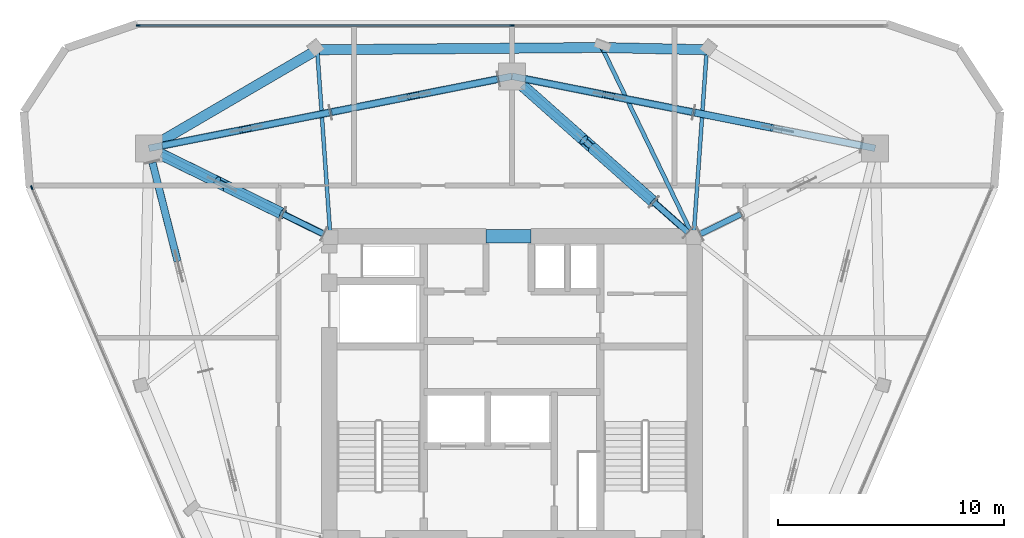
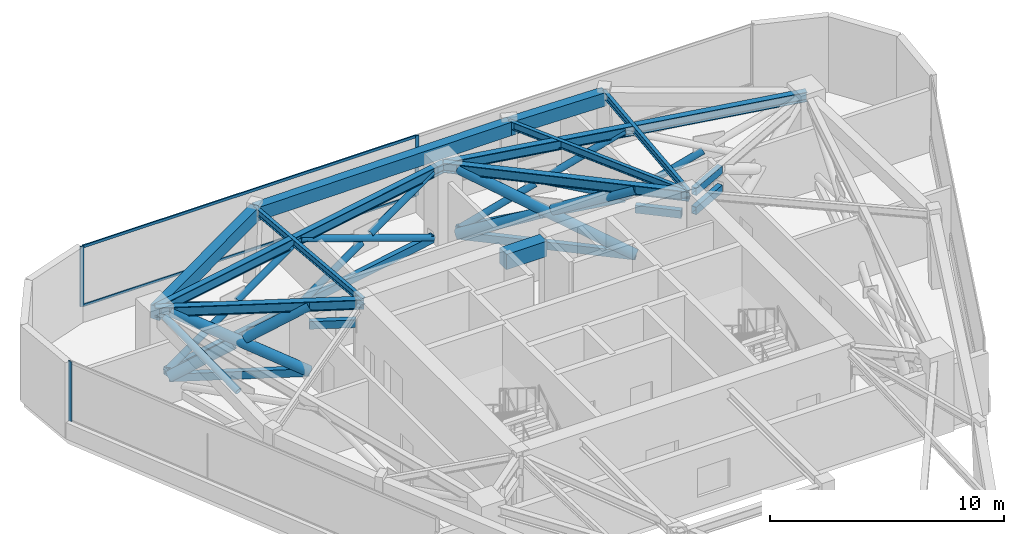
# One storey, part 4 of 9: 38 members, 11 beams, 2 elements without a shape of their own.
"""IFC4 building model written with IfcOpenShell, lengths in metres."""

from ifc_helpers import new_model, si_unit, direction, frame, origin, origin_2d, place, context, subcontext, project, spatial, rectangle, hollow_rectangle, hollow_circle, i_section, extrude, material, layer, layer_set, material_profile, profile_set, type_object, element, aggregate, save


model = new_model("IFC4")

# Units and contexts
model_context = context("Model", 3, precision=1e-05, world=origin(), true_north=direction((0.0, 1.0)))
body_context = subcontext(model_context, "Body", "Model", "MODEL_VIEW")
ifc_project = project(units=[si_unit("LENGTHUNIT", "METRE"), si_unit("AREAUNIT", "SQUARE_METRE"), si_unit("VOLUMEUNIT", "CUBIC_METRE"), si_unit("PLANEANGLEUNIT", "RADIAN"), si_unit("MASSUNIT", "GRAM", prefix="KILO")], contexts=[model_context])

# Site, building, storey
site_placement = place(None, origin())
site = spatial("IfcSite", under=ifc_project, at=site_placement, CompositionType="ELEMENT")
building_placement = place(site_placement, origin())
building = spatial("IfcBuilding", under=site, at=building_placement, Name="Talyreon Biosciences Tower", CompositionType="ELEMENT")
storey_placement = place(building_placement, frame((0.0, 0.0, 279.60009765625)))
storey = spatial("IfcBuildingStorey", under=building, at=storey_placement, Name="L74", CompositionType="ELEMENT", Elevation=279.60009765625)

# Members
ifc_material_1 = material(Name="Steel SM355", Category="steel")
ifc_material_profile_1 = material_profile(ifc_material_1, hollow_rectangle(XDim=0.25, YDim=0.39990234375, WallThickness=0.01611328125, at=origin_2d()), Name="RHS 400x250x16")
ifc_profile_set_1 = profile_set([ifc_material_profile_1], Name="Steel SM355")
member_type_1 = type_object("IfcMemberType", Name="BeltChord_RHS400x250", PredefinedType="CHORD", material=ifc_profile_set_1)
for number, where, z_axis, x_axis, name in (
    (1, (74.350830078125, 74.797607421875, 3.699951171875), (0.897841833821, 0.440318113914, 0.0), (-0.440318113914, 0.897841833821, 0.0), "L74 Outrigger Core Top Tie 3"),
    (2, (74.350830078125, 74.797607421875, 2.699951171875), (0.897841833821, 0.440318113914, 0.0), (-0.440318113914, 0.897841833821, 0.0), "L74 Outrigger Core Plenum Tie 3"),
    (3, (73.79931640625, 74.872314453125, 3.699951171875), (-0.748184255594, 0.663491009495, 0.0), (-0.663491009495, -0.748184255594, 0.0), "L74 Outrigger Core Top Tie 4"),
    (4, (73.79931640625, 74.872314453125, 2.699951171875), (-0.748184255594, 0.663491009495, 0.0), (-0.663491009495, -0.748184255594, 0.0), "L74 Outrigger Core Plenum Tie 4"),
):
    element("IfcMember", number, at=place(storey_placement, frame(where, z_axis=z_axis, x_axis=x_axis)), inside=storey, type_object=member_type_1, Name=name, PredefinedType="CHORD", context=body_context, shape_type="SweptSolid", body=[
        extrude(hollow_rectangle(XDim=0.25, YDim=0.39990234375, WallThickness=0.01611328125, at=origin_2d()), origin(), (0.0, 0.0, 1.0), 2.014892578125),
    ])
for number, where, z_axis, x_axis, name in (
    (5, (72.291748046875, 76.209228515625, 0.239990234375), (-0.748173880498, 0.663502708766, 0.0), (-0.663502708766, -0.748173880498, 0.0), "L74 Truss Bottom Chord OUT-L74-R4"),
    (6, (72.291748046875, 76.209228515625, 3.699951171875), (-0.748173880498, 0.663502708766, 0.0), (-0.663502708766, -0.748173880498, 0.0), "L74 Truss Top Chord OUT-L74-R4"),
):
    element("IfcMember", number, at=place(storey_placement, frame(where, z_axis=z_axis, x_axis=x_axis)), inside=storey, type_object=member_type_1, Name=name, PredefinedType="CHORD", context=body_context, shape_type="SweptSolid", body=[
        extrude(hollow_rectangle(XDim=0.25, YDim=0.39990234375, WallThickness=0.01611328125, at=origin_2d()), origin(), (0.0, 0.0, 1.0), 7.799560546875),
    ])
for number, where, z_axis, x_axis, name in (
    (7, (57.649169921875, 74.797607421875, 3.699951171875), (-0.897841833821, 0.440318113914, 0.0), (-0.440318113914, -0.897841833821, 0.0), "L74 Outrigger Core Top Tie 5"),
    (8, (57.649169921875, 74.797607421875, 2.699951171875), (-0.897841833821, 0.440318113914, 0.0), (-0.440318113914, -0.897841833821, 0.0), "L74 Outrigger Core Plenum Tie 5"),
):
    element("IfcMember", number, at=place(storey_placement, frame(where, z_axis=z_axis, x_axis=x_axis)), inside=storey, type_object=member_type_1, Name=name, PredefinedType="CHORD", context=body_context, shape_type="SweptSolid", body=[
        extrude(hollow_rectangle(XDim=0.25, YDim=0.39990234375, WallThickness=0.01611328125, at=origin_2d()), origin(), (0.0, 0.0, 1.0), 2.014892578125),
    ])
for number, where, z_axis, x_axis, name in (
    (9, (55.840087890625, 75.684814453125, 0.239990234375), (-0.897870334783, 0.440259993545, 0.0), (-0.440259993545, -0.897870334783, 0.0), "L74 Truss Bottom Chord OUT-L74-R5"),
    (10, (55.840087890625, 75.684814453125, 3.699951171875), (-0.897870334783, 0.440259993545, 0.0), (-0.440259993545, -0.897870334783, 0.0), "L74 Truss Top Chord OUT-L74-R5"),
):
    element("IfcMember", number, at=place(storey_placement, frame(where, z_axis=z_axis, x_axis=x_axis)), inside=storey, type_object=member_type_1, Name=name, PredefinedType="CHORD", context=body_context, shape_type="SweptSolid", body=[
        extrude(hollow_rectangle(XDim=0.25, YDim=0.39990234375, WallThickness=0.01611328125, at=origin_2d()), origin(), (0.0, 0.0, 1.0), 6.00830078125),
    ])
for number, where, z_axis, x_axis, name in (
    (11, (74.05126953125, 80.19384765625, 0.239990234375), (-0.980933774258, 0.194342302444, 0.0), (-0.194342302444, -0.980933774258, 0.0), "L74 Truss Bottom Chord BELT-L74-B3S2"),
    (12, (74.05126953125, 80.19384765625, 3.699951171875), (-0.980933774258, 0.194342302444, 0.0), (-0.194342302444, -0.980933774258, 0.0), "L74 Truss Top Chord BELT-L74-B3S2"),
    (13, (65.401611328125, 81.67041015625, 0.239990234375), (-0.980933774258, -0.194342302444, 0.0), (0.194342302444, -0.980933774258, 0.0), "L74 Truss Bottom Chord BELT-L74-B4S1"),
    (14, (65.401611328125, 81.67041015625, 3.699951171875), (-0.980933774258, -0.194342302444, 0.0), (0.194342302444, -0.980933774258, 0.0), "L74 Truss Top Chord BELT-L74-B4S1"),
):
    element("IfcMember", number, at=place(storey_placement, frame(where, z_axis=z_axis, x_axis=x_axis)), inside=storey, type_object=member_type_1, Name=name, PredefinedType="CHORD", context=body_context, shape_type="SweptSolid", body=[
        extrude(hollow_rectangle(XDim=0.25, YDim=0.39990234375, WallThickness=0.01611328125, at=origin_2d()), origin(), (0.0, 0.0, 1.0), 7.59765625),
    ])
for number, where, z_axis, x_axis, name in (
    (15, (57.94873046875, 80.19384765625, 0.239990234375), (-0.98093256056, -0.19434842843, 0.0), (0.19434842843, -0.98093256056, 0.0), "L74 Truss Bottom Chord BELT-L74-B4S2"),
    (16, (57.94873046875, 80.19384765625, 3.699951171875), (-0.98093256056, -0.19434842843, 0.0), (0.19434842843, -0.98093256056, 0.0), "L74 Truss Top Chord BELT-L74-B4S2"),
):
    element("IfcMember", number, at=place(storey_placement, frame(where, z_axis=z_axis, x_axis=x_axis)), inside=storey, type_object=member_type_1, Name=name, PredefinedType="CHORD", context=body_context, shape_type="SweptSolid", body=[
        extrude(hollow_rectangle(XDim=0.25, YDim=0.39990234375, WallThickness=0.01611328125, at=origin_2d()), origin(), (0.0, 0.0, 1.0), 7.597412109375),
    ])

# Curtain wall, members
ifc_material_2 = material(Name="Thermally broken aluminium and low-E glazing", Category="aluminium")
ifc_layer = layer(ifc_material_2, 0.175048828125)
ifc_layer_set = layer_set([ifc_layer], Name="Thermally broken aluminium and low-E glazing")
curtain_wall_type = type_object("IfcCurtainWallType", Name="CurtainWall_Zone5CompLab", PredefinedType="NOTDEFINED", material=ifc_layer_set)
curtain_wall_1_placement = place(storey_placement, origin())
curtain_wall_1 = element("IfcCurtainWall", 17, at=curtain_wall_1_placement, inside=storey, type_object=curtain_wall_type, Name="L74 Unitised Curtain Wall FCW-L74-03", PredefinedType="NOTDEFINED")
ifc_material_3 = material(Name="Anodised thermally broken aluminium", Category="aluminium")
ifc_material_profile_2 = material_profile(ifc_material_3, rectangle(XDim=0.06494140625, YDim=0.179931640625, at=origin_2d()), Name="ALUM MULLION 65x180")
ifc_profile_set_2 = profile_set([ifc_material_profile_2], Name="Anodised thermally broken aluminium")
member_type_2 = type_object("IfcMemberType", Name="CWMullion_65x180", PredefinedType="MULLION", material=ifc_profile_set_2)
member_1_placement = place(storey_placement, frame((49.4248046875, 84.037109375, 0.809814453125), z_axis=(0.0, 0.0, 1.0), x_axis=(0.0, 1.0, 0.0)))
member_1 = element("IfcMember", 18, at=member_1_placement, type_object=member_type_2, Name="CW6 mullion 1", PredefinedType="MULLION", context=body_context, shape_type="SweptSolid", body=[
    extrude(rectangle(XDim=0.06494140625, YDim=0.179931640625, at=origin_2d()), origin(), (0.0, 0.0, 1.0), 3.14013671875),
])
member_2_placement = place(storey_placement, frame((66.0, 84.037109375, 0.809814453125), z_axis=(0.0, 0.0, 1.0), x_axis=(0.0, 1.0, 0.0)))
member_2 = element("IfcMember", 19, at=member_2_placement, type_object=member_type_2, Name="CW6 mullion 2", PredefinedType="MULLION", context=body_context, shape_type="SweptSolid", body=[
    extrude(rectangle(XDim=0.06494140625, YDim=0.179931640625, at=origin_2d()), origin(), (0.0, 0.0, 1.0), 3.14013671875),
])

# Curtain wall, member
curtain_wall_2_placement = place(storey_placement, origin())
curtain_wall_2 = element("IfcCurtainWall", 20, at=curtain_wall_2_placement, inside=storey, type_object=curtain_wall_type, Name="L74 Unitised Curtain Wall FCW-L74-09", PredefinedType="NOTDEFINED")
member_3_placement = place(storey_placement, frame((44.704833984375, 76.857177734375, 0.809814453125), z_axis=(0.0, 0.0, 1.0), x_axis=(-0.918021763475, -0.396530001116, 0.0)))
member_3 = element("IfcMember", 21, at=member_3_placement, type_object=member_type_2, Name="CW6 mullion 2", PredefinedType="MULLION", context=body_context, shape_type="SweptSolid", body=[
    extrude(rectangle(XDim=0.06494140625, YDim=0.179931640625, at=origin_2d()), origin(), (0.0, 0.0, 1.0), 3.14013671875),
])
aggregate(curtain_wall_2, [member_3])

# Member
ifc_material_profile_3 = material_profile(ifc_material_3, rectangle(XDim=0.06494140625, YDim=0.139892578125, at=origin_2d()), Name="ALUM TRANSOM 65x140")
ifc_profile_set_3 = profile_set([ifc_material_profile_3], Name="Anodised thermally broken aluminium")
member_type_3 = type_object("IfcMemberType", Name="CWTransom_65x140", PredefinedType="USERDEFINED", material=ifc_profile_set_3)
member_4_placement = place(storey_placement, frame((49.457275390625, 84.037109375, 0.84228515625), z_axis=(1.0, 0.0, 0.0), x_axis=(0.0, 1.0, 0.0)))
member_4 = element("IfcMember", 22, at=member_4_placement, type_object=member_type_3, Name="CW6 transom 1.1", ObjectType="TRANSOM", PredefinedType="USERDEFINED", context=body_context, shape_type="SweptSolid", body=[
    extrude(rectangle(XDim=0.06494140625, YDim=0.139892578125, at=origin_2d()), origin(), (0.0, 0.0, 1.0), 16.51025390625),
])

member_5_placement = place(storey_placement, frame((49.457275390625, 84.037109375, 3.91748046875), z_axis=(1.0, 0.0, 0.0), x_axis=(0.0, 1.0, 0.0)))
member_5 = element("IfcMember", 23, at=member_5_placement, type_object=member_type_3, Name="CW6 transom 1.2", ObjectType="TRANSOM", PredefinedType="USERDEFINED", context=body_context, shape_type="SweptSolid", body=[
    extrude(rectangle(XDim=0.06494140625, YDim=0.139892578125, at=origin_2d()), origin(), (0.0, 0.0, 1.0), 16.51025390625),
])

aggregate(curtain_wall_1, [member_1, member_2, member_4, member_5])

# Beams
ifc_material_4 = material(Name="Concrete C50/60", Category="concrete")
ifc_material_profile_4 = material_profile(ifc_material_4, rectangle(XDim=0.60009765625, YDim=0.800048828125, at=origin_2d()), Name="RCB 600x800")
ifc_profile_set_4 = profile_set([ifc_material_profile_4], Name="Concrete C50/60")
beam_type_1 = type_object("IfcBeamType", Name="CoreCouplingLintel_600x800", PredefinedType="LINTEL", material=ifc_profile_set_4)
beam_1_placement = place(storey_placement, frame((64.85009765625, 74.699951171875, 3.5498046875), z_axis=(1.0, 0.0, 0.0), x_axis=(0.0, 1.0, 0.0)))
element("IfcBeam", 24, at=beam_1_placement, inside=storey, type_object=beam_type_1, Name="L74 Core Coupling Lintel", PredefinedType="LINTEL", context=body_context, shape_type="SweptSolid", body=[
    extrude(rectangle(XDim=0.60009765625, YDim=0.800048828125, at=origin_2d()), origin(), (0.0, 0.0, 1.0), 2.0),
])
ifc_material_5 = material(Name="Precast concrete C45/55", Category="concrete")
ifc_material_profile_5 = material_profile(ifc_material_5, rectangle(XDim=0.449951171875, YDim=0.699951171875, at=origin_2d()), Name="RCB 450x700")
ifc_profile_set_5 = profile_set([ifc_material_profile_5], Name="Precast concrete C45/55")
beam_type_2 = type_object("IfcBeamType", Name="ExpressedSpandrel_450x700", PredefinedType="SPANDREL", material=ifc_profile_set_5)
beam_2_placement = place(storey_placement, frame((74.635986328125, 82.96728515625, 3.599853515625), z_axis=(-0.999769530585, 0.021468248964, 0.0), x_axis=(-0.021468248964, -0.999769530585, 0.0)))
element("IfcBeam", 25, at=beam_2_placement, inside=storey, type_object=beam_type_2, Name="L74 Expressed Horizontal Concrete Spandrel 06", PredefinedType="SPANDREL", context=body_context, shape_type="SweptSolid", body=[
    extrude(rectangle(XDim=0.449951171875, YDim=0.699951171875, at=origin_2d()), origin(), (0.0, 0.0, 1.0), 4.651123046875),
])
beam_3_placement = place(storey_placement, frame((69.98583984375, 83.067138671875, 3.599853515625), z_axis=(-0.999968708099, -0.00791093061, 0.0), x_axis=(0.00791093061, -0.999968708099, 0.0)))
element("IfcBeam", 26, at=beam_3_placement, inside=storey, type_object=beam_type_2, Name="L74 Expressed Horizontal Concrete Spandrel 07", PredefinedType="SPANDREL", context=body_context, shape_type="SweptSolid", body=[
    extrude(rectangle(XDim=0.449951171875, YDim=0.699951171875, at=origin_2d()), origin(), (0.0, 0.0, 1.0), 12.622314453125),
])
beam_4_placement = place(storey_placement, frame((57.364013671875, 82.96728515625, 3.599853515625), z_axis=(-0.863108688616, -0.505018209211, 0.0), x_axis=(0.505018209211, -0.863108688616, 0.0)))
element("IfcBeam", 27, at=beam_4_placement, inside=storey, type_object=beam_type_2, Name="L74 Expressed Horizontal Concrete Spandrel 08", PredefinedType="SPANDREL", context=body_context, shape_type="SweptSolid", body=[
    extrude(rectangle(XDim=0.449951171875, YDim=0.699951171875, at=origin_2d()), origin(), (0.0, 0.0, 1.0), 8.650390625),
])

# Members
ifc_material_profile_6 = material_profile(ifc_material_1, hollow_circle(Radius=0.25390625, WallThickness=0.02001953125, at=origin_2d()), Name="CHS 508x20")
ifc_profile_set_6 = profile_set([ifc_material_profile_6], Name="Steel SM355")
member_type_4 = type_object("IfcMemberType", Name="OutriggerBrace_CHS508", PredefinedType="BRACE", material=ifc_profile_set_6)
member_6_placement = place(storey_placement, frame((72.291748046875, 76.209228515625, 0.239990234375), z_axis=(-0.683902051976, 0.606504551742, 0.405499953167), x_axis=(-0.663502708766, -0.748173880498, 0.0)))
element("IfcMember", 28, at=member_6_placement, inside=storey, type_object=member_type_4, Name="L74 Continuous Diagonal OUT-L74-R4A", PredefinedType="BRACE", context=body_context, shape_type="SweptSolid", body=[
    extrude(hollow_circle(Radius=0.25390625, WallThickness=0.02001953125, at=origin_2d()), origin(), (0.0, 0.0, 1.0), 8.532470703125),
])
member_7_placement = place(storey_placement, frame((66.456298828125, 81.38427734375, 0.239990234375), z_axis=(0.683910328975, -0.606498073595, 0.405495682649), x_axis=(0.66349424675, 0.748181384779, 0.0)))
element("IfcMember", 29, at=member_7_placement, inside=storey, type_object=member_type_4, Name="L74 Split Diagonal OUT-L74-R4B-Lower", PredefinedType="BRACE", context=body_context, shape_type="SweptSolid", body=[
    extrude(hollow_circle(Radius=0.25390625, WallThickness=0.02001953125, at=origin_2d()), origin(), (0.0, 0.0, 1.0), 3.986328125),
])
member_8_placement = place(storey_placement, frame((69.565673828125, 78.626953125, 2.08349609375), z_axis=(0.683877728855, -0.606523477418, 0.405512667271), x_axis=(0.663527507164, 0.748151887812, 0.0)))
element("IfcMember", 30, at=member_8_placement, inside=storey, type_object=member_type_4, Name="L74 Split Diagonal OUT-L74-R4B-Upper", PredefinedType="BRACE", context=body_context, shape_type="SweptSolid", body=[
    extrude(hollow_circle(Radius=0.25390625, WallThickness=0.02001953125, at=origin_2d()), origin(), (0.0, 0.0, 1.0), 3.986083984375),
])
member_9_placement = place(storey_placement, frame((55.840087890625, 75.684814453125, 0.239990234375), z_axis=(-0.778082569221, 0.381523493574, 0.499026391411), x_axis=(-0.440259993545, -0.897870334783, 0.0)))
element("IfcMember", 31, at=member_9_placement, inside=storey, type_object=member_type_4, Name="L74 Continuous Diagonal OUT-L74-R5A", PredefinedType="BRACE", context=body_context, shape_type="SweptSolid", body=[
    extrude(hollow_circle(Radius=0.25390625, WallThickness=0.02001953125, at=origin_2d()), origin(), (0.0, 0.0, 1.0), 6.933349609375),
])
for number, where, z_axis, x_axis, name in (
    (32, (50.4453125, 78.330078125, 0.239990234375), (0.778067536306, -0.38152583013, 0.499048043669), (0.440269024625, 0.897865906445, 0.0), "L74 Split Diagonal OUT-L74-R5B-Lower"),
    (33, (53.360595703125, 76.900634765625, 2.109619140625), (0.778067536306, -0.38152583013, 0.499048043669), (0.440269024625, 0.897865906445, 0.0), "L74 Split Diagonal OUT-L74-R5B-Upper"),
):
    element("IfcMember", number, at=place(storey_placement, frame(where, z_axis=z_axis, x_axis=x_axis)), inside=storey, type_object=member_type_4, Name=name, PredefinedType="BRACE", context=body_context, shape_type="SweptSolid", body=[
        extrude(hollow_circle(Radius=0.25390625, WallThickness=0.02001953125, at=origin_2d()), origin(), (0.0, 0.0, 1.0), 3.186767578125),
    ])
ifc_material_profile_7 = material_profile(ifc_material_1, hollow_circle(Radius=0.161865234375, WallThickness=0.012451171875, at=origin_2d()), Name="CHS 323.9x12.5")
ifc_profile_set_7 = profile_set([ifc_material_profile_7], Name="Steel SM355")
member_type_5 = type_object("IfcMemberType", Name="PortalBrace_CHS324", PredefinedType="BRACE", material=ifc_profile_set_7)
member_10_placement = place(storey_placement, frame((74.05126953125, 80.19384765625, 0.239990234375), z_axis=(0.892699857286, -0.176922466273, 0.414470029954), x_axis=(0.194406841853, 0.980920985524, 0.0)))
element("IfcMember", 34, at=member_10_placement, inside=storey, type_object=member_type_5, Name="L74 Split Diagonal BELT-L74-B3S1B-Lower", PredefinedType="BRACE", context=body_context, shape_type="SweptSolid", body=[
    extrude(hollow_circle(Radius=0.161865234375, WallThickness=0.012451171875, at=origin_2d()), origin(), (0.0, 0.0, 1.0), 3.89404296875),
])
member_11_placement = place(storey_placement, frame((74.05126953125, 80.19384765625, 0.239990234375), z_axis=(-0.892723849835, 0.176866178917, 0.414442375597), x_axis=(-0.194342302444, -0.980933774258, 0.0)))
element("IfcMember", 35, at=member_11_placement, inside=storey, type_object=member_type_5, Name="L74 Continuous Diagonal BELT-L74-B3S2A", PredefinedType="BRACE", context=body_context, shape_type="SweptSolid", body=[
    extrude(hollow_circle(Radius=0.161865234375, WallThickness=0.012451171875, at=origin_2d()), origin(), (0.0, 0.0, 1.0), 8.348388671875),
])
member_12_placement = place(storey_placement, frame((66.598388671875, 81.67041015625, 0.239990234375), z_axis=(0.892709757502, -0.176861733683, 0.414474626508), x_axis=(0.194340554403, 0.980934120578, 0.0)))
element("IfcMember", 36, at=member_12_placement, inside=storey, type_object=member_type_5, Name="L74 Split Diagonal BELT-L74-B3S2B-Lower", PredefinedType="BRACE", context=body_context, shape_type="SweptSolid", body=[
    extrude(hollow_circle(Radius=0.161865234375, WallThickness=0.012451171875, at=origin_2d()), origin(), (0.0, 0.0, 1.0), 3.89404296875),
])
member_13_placement = place(storey_placement, frame((70.57470703125, 80.882568359375, 2.0859375), z_axis=(0.892722487801, -0.17685183554, 0.414451430256), x_axis=(0.194327422283, 0.980936722194, 0.0)))
element("IfcMember", 37, at=member_13_placement, inside=storey, type_object=member_type_5, Name="L74 Split Diagonal BELT-L74-B3S2B-Upper", PredefinedType="BRACE", context=body_context, shape_type="SweptSolid", body=[
    extrude(hollow_circle(Radius=0.161865234375, WallThickness=0.012451171875, at=origin_2d()), origin(), (0.0, 0.0, 1.0), 3.894287109375),
])
member_14_placement = place(storey_placement, frame((65.401611328125, 81.67041015625, 0.239990234375), z_axis=(-0.892723849835, -0.176866178917, 0.414442375597), x_axis=(0.194342302444, -0.980933774258, 0.0)))
element("IfcMember", 38, at=member_14_placement, inside=storey, type_object=member_type_5, Name="L74 Continuous Diagonal BELT-L74-B4S1A", PredefinedType="BRACE", context=body_context, shape_type="SweptSolid", body=[
    extrude(hollow_circle(Radius=0.161865234375, WallThickness=0.012451171875, at=origin_2d()), origin(), (0.0, 0.0, 1.0), 8.348388671875),
])
member_15_placement = place(storey_placement, frame((57.94873046875, 80.19384765625, 0.239990234375), z_axis=(0.892722487801, 0.17685183554, 0.414451430256), x_axis=(-0.194327422283, 0.980936722194, 0.0)))
element("IfcMember", 39, at=member_15_placement, inside=storey, type_object=member_type_5, Name="L74 Split Diagonal BELT-L74-B4S1B-Lower", PredefinedType="BRACE", context=body_context, shape_type="SweptSolid", body=[
    extrude(hollow_circle(Radius=0.161865234375, WallThickness=0.012451171875, at=origin_2d()), origin(), (0.0, 0.0, 1.0), 3.894287109375),
])
member_16_placement = place(storey_placement, frame((61.92529296875, 80.981689453125, 2.0859375), z_axis=(0.892709757502, 0.176861733683, 0.414474626508), x_axis=(-0.194340554403, 0.980934120578, 0.0)))
element("IfcMember", 40, at=member_16_placement, inside=storey, type_object=member_type_5, Name="L74 Split Diagonal BELT-L74-B4S1B-Upper", PredefinedType="BRACE", context=body_context, shape_type="SweptSolid", body=[
    extrude(hollow_circle(Radius=0.161865234375, WallThickness=0.012451171875, at=origin_2d()), origin(), (0.0, 0.0, 1.0), 3.89404296875),
])
member_17_placement = place(storey_placement, frame((57.94873046875, 80.19384765625, 0.239990234375), z_axis=(-0.892717911832, -0.176870796395, 0.414453195521), x_axis=(0.19434842843, -0.98093256056, 0.0)))
element("IfcMember", 41, at=member_17_placement, inside=storey, type_object=member_type_5, Name="L74 Continuous Diagonal BELT-L74-B4S2A", PredefinedType="BRACE", context=body_context, shape_type="SweptSolid", body=[
    extrude(hollow_circle(Radius=0.161865234375, WallThickness=0.012451171875, at=origin_2d()), origin(), (0.0, 0.0, 1.0), 8.34814453125),
])
for number, where, z_axis, x_axis, name in (
    (42, (50.49609375, 78.71728515625, 0.239990234375), (0.892709757502, 0.176861733683, 0.414474626508), (-0.194340554403, 0.980934120578, 0.0), "L74 Split Diagonal BELT-L74-B4S2B-Lower"),
    (43, (54.472412109375, 79.5048828125, 2.0859375), (0.892699857286, 0.176922466273, 0.414470029954), (-0.194406841853, 0.980920985524, 0.0), "L74 Split Diagonal BELT-L74-B4S2B-Upper"),
):
    element("IfcMember", number, at=place(storey_placement, frame(where, z_axis=z_axis, x_axis=x_axis)), inside=storey, type_object=member_type_5, Name=name, PredefinedType="BRACE", context=body_context, shape_type="SweptSolid", body=[
        extrude(hollow_circle(Radius=0.161865234375, WallThickness=0.012451171875, at=origin_2d()), origin(), (0.0, 0.0, 1.0), 3.89404296875),
    ])
member_18_placement = place(storey_placement, frame((51.161865234375, 73.628662109375, 2.065185546875), z_axis=(-0.231795191478, 0.911328047865, 0.340223718137), x_axis=(-0.969142719225, -0.246500283514, 0.0)))
element("IfcMember", 44, at=member_18_placement, inside=storey, type_object=member_type_5, Name="L74 Split Diagonal BELT-L74-B5S1B-Upper", PredefinedType="BRACE", context=body_context, shape_type="SweptSolid", body=[
    extrude(hollow_circle(Radius=0.161865234375, WallThickness=0.012451171875, at=origin_2d()), origin(), (0.0, 0.0, 1.0), 4.804931640625),
])

# Beams
ifc_material_profile_8 = material_profile(ifc_material_1, i_section(OverallWidth=0.300048828125, OverallDepth=0.5, WebThickness=0.014404296875, FlangeThickness=0.028076171875, FilletRadius=0.027099609375, at=origin_2d()), Name="HE500B")
ifc_profile_set_8 = profile_set([ifc_material_profile_8], Name="Steel SM355")
beam_type_3 = type_object("IfcBeamType", Name="SteelBeam_HE500B", PredefinedType="BEAM", material=ifc_profile_set_8)
for number, where, z_axis, x_axis, name in (
    (45, (82.102294921875, 78.5986328125, 3.699951171875), (-0.980933730698, 0.194342522311, 0.0), (-0.194342522311, -0.980933730698, 0.0), "L74 Mega-Ring Girder 3"),
    (46, (66.0, 81.788818359375, 3.699951171875), (-0.980933730698, -0.194342522311, 0.0), (0.194342522311, -0.980933730698, 0.0), "L74 Mega-Ring Girder 4"),
):
    element("IfcBeam", number, at=place(storey_placement, frame(where, z_axis=z_axis, x_axis=x_axis)), inside=storey, type_object=beam_type_3, Name=name, PredefinedType="BEAM", context=body_context, shape_type="SweptSolid", body=[
        extrude(i_section(OverallWidth=0.300048828125, OverallDepth=0.5, WebThickness=0.014404296875, FlangeThickness=0.028076171875, FilletRadius=0.027099609375, at=origin_2d()), origin(), (0.0, 0.0, 1.0), 16.415283203125),
    ])
beam_5_placement = place(storey_placement, frame((74.050048828125, 74.64990234375, 3.699951171875), z_axis=(-0.748178733955, 0.663497235908, 0.0), x_axis=(-0.663497235908, -0.748178733955, 0.0)))
element("IfcBeam", 47, at=beam_5_placement, inside=storey, type_object=beam_type_3, Name="L74 Radial Primary Girder 4", PredefinedType="BEAM", context=body_context, shape_type="SweptSolid", body=[
    extrude(i_section(OverallWidth=0.300048828125, OverallDepth=0.5, WebThickness=0.014404296875, FlangeThickness=0.028076171875, FilletRadius=0.027099609375, at=origin_2d()), origin(), (0.0, 0.0, 1.0), 10.759521484375),
])
beam_6_placement = place(storey_placement, frame((57.949951171875, 74.64990234375, 3.699951171875), z_axis=(-0.897852360314, 0.440296648952, 0.0), x_axis=(-0.440296648952, -0.897852360314, 0.0)))
element("IfcBeam", 48, at=beam_6_placement, inside=storey, type_object=beam_type_3, Name="L74 Radial Primary Girder 5", PredefinedType="BEAM", context=body_context, shape_type="SweptSolid", body=[
    extrude(i_section(OverallWidth=0.300048828125, OverallDepth=0.5, WebThickness=0.014404296875, FlangeThickness=0.028076171875, FilletRadius=0.027099609375, at=origin_2d()), origin(), (0.0, 0.0, 1.0), 8.96826171875),
])
ifc_material_profile_9 = material_profile(ifc_material_1, i_section(OverallWidth=0.169921875, OverallDepth=0.360107421875, WebThickness=0.008056640625, FlangeThickness=0.0126953125, FilletRadius=0.01806640625, at=origin_2d()), Name="IPE360")
ifc_profile_set_9 = profile_set([ifc_material_profile_9], Name="Steel SM355")
beam_type_4 = type_object("IfcBeamType", Name="SteelJoist_IPE360", PredefinedType="JOIST", material=ifc_profile_set_9)
for number, where, z_axis, x_axis, name in (
    (49, (74.050048828125, 74.64990234375, 3.77001953125), (0.070273179584, 0.99752778419, 0.0), (-0.99752778419, 0.070273179584, 0.0), "L74 Radial Composite Floor Joist PC-N1"),
    (50, (57.949951171875, 74.64990234375, 3.77001953125), (-0.070273179584, 0.99752778419, 0.0), (-0.99752778419, -0.070273179584, 0.0), "L74 Radial Composite Floor Joist PC-N2"),
):
    element("IfcBeam", number, at=place(storey_placement, frame(where, z_axis=z_axis, x_axis=x_axis)), inside=storey, type_object=beam_type_4, Name=name, PredefinedType="JOIST", context=body_context, shape_type="SweptSolid", body=[
        extrude(i_section(OverallWidth=0.169921875, OverallDepth=0.360107421875, WebThickness=0.008056640625, FlangeThickness=0.0126953125, FilletRadius=0.01806640625, at=origin_2d()), origin(), (0.0, 0.0, 1.0), 8.337890625),
    ])
ifc_material_profile_10 = material_profile(ifc_material_1, i_section(OverallWidth=0.179931640625, OverallDepth=0.39990234375, WebThickness=0.008544921875, FlangeThickness=0.013427734375, FilletRadius=0.02099609375, at=origin_2d()), Name="IPE400")
ifc_profile_set_10 = profile_set([ifc_material_profile_10], Name="Steel SM355")
beam_type_5 = type_object("IfcBeamType", Name="SteelJoist_IPE400", PredefinedType="JOIST", material=ifc_profile_set_10)
beam_7_placement = place(storey_placement, frame((74.050048828125, 74.64990234375, 3.75), z_axis=(-0.434811152111, 0.900521661039, 0.0), x_axis=(-0.900521661039, -0.434811152111, 0.0)))
element("IfcBeam", 51, at=beam_7_placement, inside=storey, type_object=beam_type_5, Name="L74 Radial Composite Floor Joist PL-N", PredefinedType="JOIST", context=body_context, shape_type="SweptSolid", body=[
    extrude(i_section(OverallWidth=0.179931640625, OverallDepth=0.39990234375, WebThickness=0.008544921875, FlangeThickness=0.013427734375, FilletRadius=0.02099609375, at=origin_2d()), origin(), (0.0, 0.0, 1.0), 9.34716796875),
])

save(model, "model.ifc")
